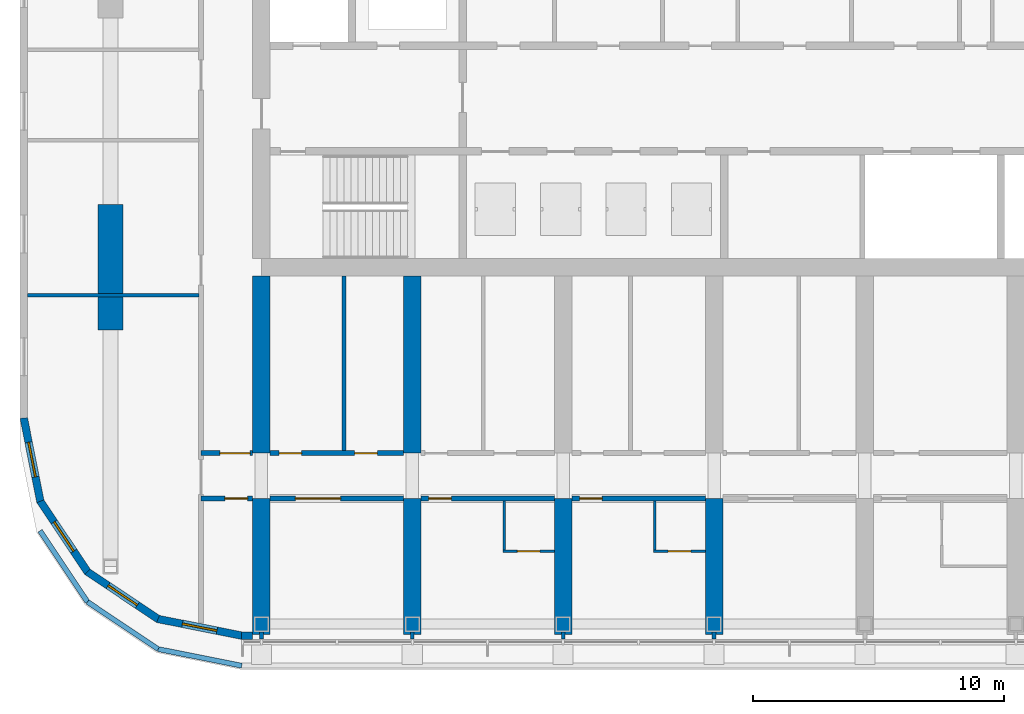
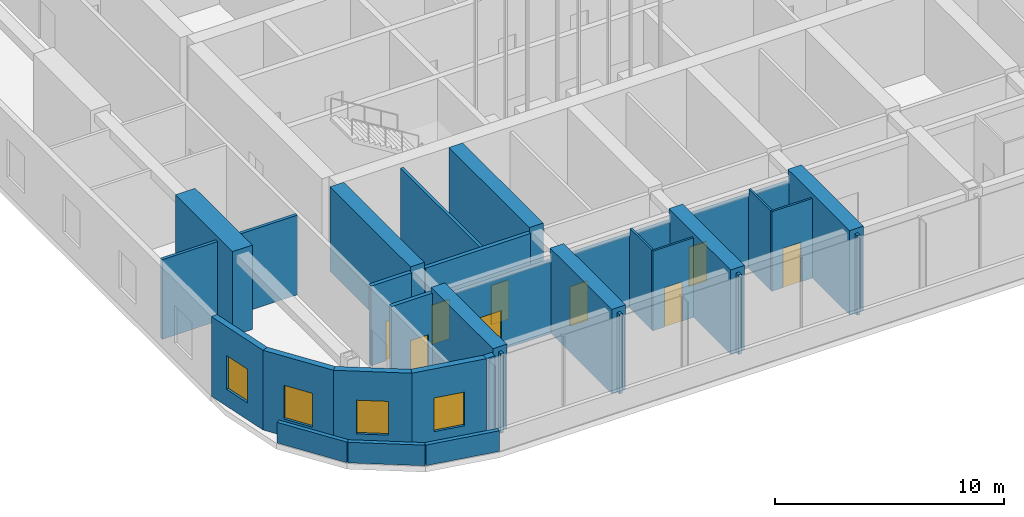
# One storey, part 14 of 35: 31 walls, 9 doors, 4 windows, 13 openings.
"""IFC4 building model written with IfcOpenShell, lengths in metres."""

from ifc_helpers import new_model, si_unit, direction, frame, frame_2d, origin, place, context, subcontext, project, spatial, polyline, rectangle, outline, extrude, material, layer, layer_set, type_object, element, fill, save


model = new_model("IFC4")

# Units and contexts
model_context = context("Model", 3, precision=1e-05, world=origin(), true_north=direction((0.0, 1.0)))
body_context = subcontext(model_context, "Body", "Model", "MODEL_VIEW")
ifc_project = project(units=[si_unit("LENGTHUNIT", "METRE"), si_unit("AREAUNIT", "SQUARE_METRE"), si_unit("VOLUMEUNIT", "CUBIC_METRE"), si_unit("PLANEANGLEUNIT", "RADIAN"), si_unit("MASSUNIT", "GRAM", prefix="KILO")], contexts=[model_context])

# Site, building, storey
site_placement = place(None, origin())
site = spatial("IfcSite", under=ifc_project, at=site_placement, CompositionType="ELEMENT")
building_placement = place(site_placement, origin())
building = spatial("IfcBuilding", under=site, at=building_placement, Name="Orbita Commons", CompositionType="ELEMENT")
storey_placement = place(building_placement, frame((0.0, 0.0, 208.300048828125)))
storey = spatial("IfcBuildingStorey", under=building, at=storey_placement, Name="L51", CompositionType="ELEMENT", Elevation=208.300048828125)

# Wall, opening, door
ifc_material_1 = material(Name="Concrete blockwork", Category="masonry")
ifc_layer_1 = layer(ifc_material_1, 0.199951171875)
ifc_layer_set_1 = layer_set([ifc_layer_1], Name="Concrete blockwork")
wall_type_1 = type_object("IfcWallType", Name="Corridor wall 200 blockwork", PredefinedType="SOLIDWALL", material=ifc_layer_set_1)
wall_1_placement = place(storey_placement, frame((15.60009765625, 16.60009765625, 0.0), z_axis=(0.0, 0.0, 1.0), x_axis=(1.0, 0.0, 0.0)))
wall_1 = element("IfcWall", 1, at=wall_1_placement, inside=storey, type_object=wall_type_1, Name="Corridor wall 200 blockwork L51", PredefinedType="SOLIDWALL", context=body_context, shape_type="SweptSolid", body=[
    extrude(rectangle(XDim=2.0498046875, YDim=0.199951171875, at=frame_2d((1.02490234375, 0.0))), origin(), (0.0, 0.0, 1.0), 4.25),
])
opening_1_placement = place(wall_1_placement, frame((0.949951171875, 0.0, 0.0)))
opening_1 = element("IfcOpeningElement", 2, at=opening_1_placement, cuts=wall_1, Name="Opening D05", PredefinedType="OPENING", context=body_context, shape_type="SweptSolid", body=[
    extrude(rectangle(XDim=0.89990234375, YDim=2.10009765625, at=frame_2d((0.449951171875, 1.050048828125))), frame((0.0, 0.10986328125, 0.0), z_axis=(0.0, -1.0, 0.0), x_axis=(1.0, 0.0, 0.0)), (0.0, 0.0, 1.0), 0.219970703125),
])
ifc_material_2 = material(Name="Steel-faced fire door leaf", Category="steel")
door_type_1 = type_object("IfcDoorType", Name="Service door 20 min 900x2100", OperationType="SINGLE_SWING_LEFT", PredefinedType="DOOR", material=ifc_material_2)
door_1_placement = place(opening_1_placement, origin())
door_1 = element("IfcDoor", 3, at=door_1_placement, inside=storey, type_object=door_type_1, Name="Linen store L51-KWS door", OperationType="SINGLE_SWING_LEFT", OverallHeight=2.10009765625, OverallWidth=0.89990234375, PredefinedType="DOOR", context=body_context, shape_type="SweptSolid", body=[
    extrude(rectangle(XDim=0.89990234375, YDim=2.10009765625, at=frame_2d((0.449951171875, 1.050048828125))), frame((0.0, 0.02490234375, 0.0), z_axis=(0.0, -1.0, 0.0), x_axis=(1.0, 0.0, 0.0)), (0.0, 0.0, 1.0), 0.050048828125),
])
fill(opening_1, door_1)

wall_2_placement = place(storey_placement, frame((18.35009765625, 16.60009765625, 0.0), z_axis=(0.0, 0.0, 1.0), x_axis=(1.0, 0.0, 0.0)))
wall_2 = element("IfcWall", 4, at=wall_2_placement, inside=storey, type_object=wall_type_1, Name="Corridor wall 200 blockwork L51", PredefinedType="SOLIDWALL", context=body_context, shape_type="SweptSolid", body=[
    extrude(outline(polyline([(0.0, 0.0), (5.2998046875, 0.0), (5.300048828125, 3.849853515625), (0.0, 3.849853515625), (0.0, 0.0)])), frame((0.0, 0.10009765625, 0.0), z_axis=(0.0, -1.0, 0.0), x_axis=(1.0, 0.0, 0.0)), (0.0, 0.0, 1.0), 0.199951171875),
])
opening_2_placement = place(wall_2_placement, frame((1.0, 0.0, 0.0)))
opening_2 = element("IfcOpeningElement", 5, at=opening_2_placement, cuts=wall_2, Name="Opening D07", PredefinedType="OPENING", context=body_context, shape_type="SweptSolid", body=[
    extrude(rectangle(XDim=1.800048828125, YDim=2.10009765625, at=frame_2d((0.89990234375, 1.050048828125))), frame((0.0, 0.10986328125, 0.0), z_axis=(0.0, -1.0, 0.0), x_axis=(1.0, 0.0, 0.0)), (0.0, 0.0, 1.0), 0.219970703125),
])
ifc_material_3 = material(Name="Steel-faced fire door leaf", Category="steel")
door_type_2 = type_object("IfcDoorType", Name="Double corridor door 20 min 1800x2100", OperationType="DOUBLE_DOOR_SINGLE_SWING", PredefinedType="DOOR", material=ifc_material_3)
door_2_placement = place(opening_2_placement, origin())
door_2 = element("IfcDoor", 6, at=door_2_placement, inside=storey, type_object=door_type_2, Name="Faculty dining room L51-SF1 doors", OperationType="DOUBLE_DOOR_SINGLE_SWING", OverallHeight=2.10009765625, OverallWidth=1.800048828125, PredefinedType="DOOR", context=body_context, shape_type="SweptSolid", body=[
    extrude(rectangle(XDim=1.800048828125, YDim=2.10009765625, at=frame_2d((0.89990234375, 1.050048828125))), frame((0.0, 0.02490234375, 0.0), z_axis=(0.0, -1.0, 0.0), x_axis=(1.0, 0.0, 0.0)), (0.0, 0.0, 1.0), 0.050048828125),
])
fill(opening_2, door_2)

wall_3_placement = place(storey_placement, frame((24.35009765625, 16.60009765625, 0.0), z_axis=(0.0, 0.0, 1.0), x_axis=(1.0, 0.0, 0.0)))
wall_3 = element("IfcWall", 7, at=wall_3_placement, inside=storey, type_object=wall_type_1, Name="Corridor wall 200 blockwork L51", PredefinedType="SOLIDWALL", context=body_context, shape_type="SweptSolid", body=[
    extrude(outline(polyline([(0.0, 0.0), (5.2998046875, 0.0), (5.300048828125, 3.849853515625), (0.0, 3.849853515625), (0.0, 0.0)])), frame((0.0, 0.10009765625, 0.0), z_axis=(0.0, -1.0, 0.0), x_axis=(1.0, 0.0, 0.0)), (0.0, 0.0, 1.0), 0.199951171875),
])
opening_3_placement = place(wall_3_placement, frame((0.300048828125, 0.0, 0.0)))
opening_3 = element("IfcOpeningElement", 8, at=opening_3_placement, cuts=wall_3, Name="Opening D11", PredefinedType="OPENING", context=body_context, shape_type="SweptSolid", body=[
    extrude(rectangle(XDim=0.89990234375, YDim=2.10009765625, at=frame_2d((0.449951171875, 1.050048828125))), frame((0.0, 0.10986328125, 0.0), z_axis=(0.0, -1.0, 0.0), x_axis=(1.0, 0.0, 0.0)), (0.0, 0.0, 1.0), 0.219970703125),
])
ifc_material_4 = material(Name="Steel-faced fire door leaf", Category="steel")
door_type_3 = type_object("IfcDoorType", Name="Corridor door 20 min 900x2100", OperationType="SINGLE_SWING_LEFT", PredefinedType="DOOR", material=ifc_material_4)
door_3_placement = place(opening_3_placement, origin())
door_3 = element("IfcDoor", 9, at=door_3_placement, inside=storey, type_object=door_type_3, Name="Guest studio with kitchenette L51-SF2 door", OperationType="SINGLE_SWING_LEFT", OverallHeight=2.10009765625, OverallWidth=0.89990234375, PredefinedType="DOOR", context=body_context, shape_type="SweptSolid", body=[
    extrude(rectangle(XDim=0.89990234375, YDim=2.10009765625, at=frame_2d((0.449951171875, 1.050048828125))), frame((0.0, 0.02490234375, 0.0), z_axis=(0.0, -1.0, 0.0), x_axis=(1.0, 0.0, 0.0)), (0.0, 0.0, 1.0), 0.050048828125),
])
fill(opening_3, door_3)

wall_4_placement = place(storey_placement, frame((30.35009765625, 16.60009765625, 0.0), z_axis=(0.0, 0.0, 1.0), x_axis=(1.0, 0.0, 0.0)))
wall_4 = element("IfcWall", 10, at=wall_4_placement, inside=storey, type_object=wall_type_1, Name="Corridor wall 200 blockwork L51", PredefinedType="SOLIDWALL", context=body_context, shape_type="SweptSolid", body=[
    extrude(outline(polyline([(0.0, 0.0), (5.2998046875, 0.0), (5.300048828125, 3.849853515625), (0.0, 3.849853515625), (0.0, 0.0)])), frame((0.0, 0.10009765625, 0.0), z_axis=(0.0, -1.0, 0.0), x_axis=(1.0, 0.0, 0.0)), (0.0, 0.0, 1.0), 0.199951171875),
])
opening_4_placement = place(wall_4_placement, frame((0.300048828125, 0.0, 0.0)))
opening_4 = element("IfcOpeningElement", 11, at=opening_4_placement, cuts=wall_4, Name="Opening D11", PredefinedType="OPENING", context=body_context, shape_type="SweptSolid", body=[
    extrude(rectangle(XDim=0.89990234375, YDim=2.10009765625, at=frame_2d((0.449951171875, 1.050048828125))), frame((0.0, 0.10986328125, 0.0), z_axis=(0.0, -1.0, 0.0), x_axis=(1.0, 0.0, 0.0)), (0.0, 0.0, 1.0), 0.219970703125),
])
door_4_placement = place(opening_4_placement, origin())
door_4 = element("IfcDoor", 12, at=door_4_placement, inside=storey, type_object=door_type_3, Name="Guest studio with kitchenette L51-SF3 door", OperationType="SINGLE_SWING_LEFT", OverallHeight=2.10009765625, OverallWidth=0.89990234375, PredefinedType="DOOR", context=body_context, shape_type="SweptSolid", body=[
    extrude(rectangle(XDim=0.89990234375, YDim=2.10009765625, at=frame_2d((0.449951171875, 1.050048828125))), frame((0.0, 0.02490234375, 0.0), z_axis=(0.0, -1.0, 0.0), x_axis=(1.0, 0.0, 0.0)), (0.0, 0.0, 1.0), 0.050048828125),
])
fill(opening_4, door_4)

ifc_material_5 = material(Name="Hollow concrete block 200", Category="concrete")
ifc_layer_2 = layer(ifc_material_5, 0.199951171875)
ifc_layer_set_2 = layer_set([ifc_layer_2], Name="Hollow concrete block 200")
wall_type_2 = type_object("IfcWallType", Name="Corridor wall 200 hollow concrete block", PredefinedType="SOLIDWALL", material=ifc_layer_set_2)
wall_5_placement = place(storey_placement, frame((15.60009765625, 18.39990234375, 0.0), z_axis=(0.0, 0.0, 1.0), x_axis=(1.0, 0.0, 0.0)))
wall_5 = element("IfcWall", 13, at=wall_5_placement, inside=storey, type_object=wall_type_2, Name="Corridor wall 200 hollow concrete block L51", PredefinedType="SOLIDWALL", context=body_context, shape_type="SweptSolid", body=[
    extrude(rectangle(XDim=2.0498046875, YDim=0.199951171875, at=frame_2d((1.02490234375, 0.0))), origin(), (0.0, 0.0, 1.0), 4.25),
])
opening_5_placement = place(wall_5_placement, frame((0.75, 0.0, 0.0)))
opening_5 = element("IfcOpeningElement", 14, at=opening_5_placement, cuts=wall_5, Name="Opening D12", PredefinedType="OPENING", context=body_context, shape_type="SweptSolid", body=[
    extrude(rectangle(XDim=1.199951171875, YDim=2.10009765625, at=frame_2d((0.60009765625, 1.050048828125))), frame((0.0, 0.10986328125, 0.0), z_axis=(0.0, -1.0, 0.0), x_axis=(1.0, 0.0, 0.0)), (0.0, 0.0, 1.0), 0.219970703125),
])
ifc_material_6 = material(Name="Steel-faced fire door leaf", Category="steel")
door_type_4 = type_object("IfcDoorType", Name="Double corridor door 20 min 1200x2100", OperationType="DOUBLE_DOOR_SINGLE_SWING", PredefinedType="DOOR", material=ifc_material_6)
door_5_placement = place(opening_5_placement, origin())
door_5 = element("IfcDoor", 15, at=door_5_placement, inside=storey, type_object=door_type_4, Name="Cross corridor doors", OperationType="DOUBLE_DOOR_SINGLE_SWING", OverallHeight=2.10009765625, OverallWidth=1.199951171875, PredefinedType="DOOR", context=body_context, shape_type="SweptSolid", body=[
    extrude(rectangle(XDim=1.199951171875, YDim=2.10009765625, at=frame_2d((0.60009765625, 1.050048828125))), frame((0.0, 0.02490234375, 0.0), z_axis=(0.0, -1.0, 0.0), x_axis=(1.0, 0.0, 0.0)), (0.0, 0.0, 1.0), 0.050048828125),
])
fill(opening_5, door_5)

# Wall, openings, doors
wall_6_placement = place(storey_placement, frame((18.35009765625, 18.39990234375, 0.0), z_axis=(0.0, 0.0, 1.0), x_axis=(1.0, 0.0, 0.0)))
wall_6 = element("IfcWall", 16, at=wall_6_placement, inside=storey, type_object=wall_type_2, Name="Corridor wall 200 hollow concrete block L51", PredefinedType="SOLIDWALL", context=body_context, shape_type="SweptSolid", body=[
    extrude(rectangle(XDim=5.2998046875, YDim=0.199951171875, at=frame_2d((2.64990234375, 0.0))), origin(), (0.0, 0.0, 1.0), 4.25),
])
opening_6_placement = place(wall_6_placement, frame((0.35009765625, 0.0, 0.0)))
opening_6 = element("IfcOpeningElement", 17, at=opening_6_placement, cuts=wall_6, Name="Opening D11", PredefinedType="OPENING", context=body_context, shape_type="SweptSolid", body=[
    extrude(rectangle(XDim=0.89990234375, YDim=2.10009765625, at=frame_2d((0.449951171875, 1.050048828125))), frame((0.0, 0.10986328125, 0.0), z_axis=(0.0, -1.0, 0.0), x_axis=(1.0, 0.0, 0.0)), (0.0, 0.0, 1.0), 0.219970703125),
])
opening_7_placement = place(wall_6_placement, frame((3.360107421875, 0.0, 0.0)))
opening_7 = element("IfcOpeningElement", 18, at=opening_7_placement, cuts=wall_6, Name="Opening D11", PredefinedType="OPENING", context=body_context, shape_type="SweptSolid", body=[
    extrude(rectangle(XDim=0.89990234375, YDim=2.10009765625, at=frame_2d((0.449951171875, 1.050048828125))), frame((0.0, 0.10986328125, 0.0), z_axis=(0.0, -1.0, 0.0), x_axis=(1.0, 0.0, 0.0)), (0.0, 0.0, 1.0), 0.219970703125),
])
door_6_placement = place(opening_6_placement, origin())
door_6 = element("IfcDoor", 19, at=door_6_placement, inside=storey, type_object=door_type_3, Name="Yoga room L51-BDS18 door", OperationType="SINGLE_SWING_LEFT", OverallHeight=2.10009765625, OverallWidth=0.89990234375, PredefinedType="DOOR", context=body_context, shape_type="SweptSolid", body=[
    extrude(rectangle(XDim=0.89990234375, YDim=2.10009765625, at=frame_2d((0.449951171875, 1.050048828125))), frame((0.0, 0.02490234375, 0.0), z_axis=(0.0, -1.0, 0.0), x_axis=(1.0, 0.0, 0.0)), (0.0, 0.0, 1.0), 0.050048828125),
])
fill(opening_6, door_6)
door_7_placement = place(opening_7_placement, origin())
door_7 = element("IfcDoor", 20, at=door_7_placement, inside=storey, type_object=door_type_3, Name="Accessible WC and shower room L51-BDS18n door", OperationType="SINGLE_SWING_LEFT", OverallHeight=2.10009765625, OverallWidth=0.89990234375, PredefinedType="DOOR", context=body_context, shape_type="SweptSolid", body=[
    extrude(rectangle(XDim=0.89990234375, YDim=2.10009765625, at=frame_2d((0.449951171875, 1.050048828125))), frame((0.0, 0.02490234375, 0.0), z_axis=(0.0, -1.0, 0.0), x_axis=(1.0, 0.0, 0.0)), (0.0, 0.0, 1.0), 0.050048828125),
])
fill(opening_7, door_7)

# Walls
ifc_material_7 = material(Name="Concrete C50/60", Category="concrete")
ifc_layer_3 = layer(ifc_material_7, 0.699951171875)
ifc_layer_set_3 = layer_set([ifc_layer_3], Name="Concrete C50/60")
wall_type_3 = type_object("IfcWallType", Name="Cross wall 700 C50/60", PredefinedType="SHEAR", material=ifc_layer_set_3)
wall_7_placement = place(storey_placement, frame((18.0, 11.199951171875, 0.0), z_axis=(0.0, 0.0, 1.0), x_axis=(0.0, 1.0, 0.0)))
element("IfcWall", 21, at=wall_7_placement, inside=storey, type_object=wall_type_3, Name="Cross wall 4 south outer L51", PredefinedType="SHEAR", context=body_context, shape_type="SweptSolid", body=[
    extrude(rectangle(XDim=5.400146484375, YDim=0.699951171875, at=frame_2d((2.7001953125, 0.0))), origin(), (0.0, 0.0, 1.0), 4.5),
])
wall_8_placement = place(storey_placement, frame((18.0, 18.39990234375, 0.0), z_axis=(0.0, 0.0, 1.0), x_axis=(0.0, 1.0, 0.0)))
element("IfcWall", 22, at=wall_8_placement, inside=storey, type_object=wall_type_3, Name="Cross wall 4 south inner L51", PredefinedType="SHEAR", context=body_context, shape_type="SweptSolid", body=[
    extrude(rectangle(XDim=7.050048828125, YDim=0.699951171875, at=frame_2d((3.52490234375, 0.0))), origin(), (0.0, 0.0, 1.0), 4.5),
])
wall_9_placement = place(storey_placement, frame((24.0, 11.199951171875, 0.0), z_axis=(0.0, 0.0, 1.0), x_axis=(0.0, 1.0, 0.0)))
element("IfcWall", 23, at=wall_9_placement, inside=storey, type_object=wall_type_3, Name="Cross wall 5 south outer L51", PredefinedType="SHEAR", context=body_context, shape_type="SweptSolid", body=[
    extrude(rectangle(XDim=5.400146484375, YDim=0.699951171875, at=frame_2d((2.7001953125, 0.0))), origin(), (0.0, 0.0, 1.0), 4.5),
])
wall_10_placement = place(storey_placement, frame((24.0, 18.39990234375, 0.0), z_axis=(0.0, 0.0, 1.0), x_axis=(0.0, 1.0, 0.0)))
element("IfcWall", 24, at=wall_10_placement, inside=storey, type_object=wall_type_3, Name="Cross wall 5 south inner L51", PredefinedType="SHEAR", context=body_context, shape_type="SweptSolid", body=[
    extrude(rectangle(XDim=7.050048828125, YDim=0.699951171875, at=frame_2d((3.52490234375, 0.0))), origin(), (0.0, 0.0, 1.0), 4.5),
])
for number, where, z_axis, x_axis, name in (
    (25, (30.0, 11.199951171875, 0.0), (0.0, 0.0, 1.0), (0.0, 1.0, 0.0), "Cross wall 6 south outer L51"),
    (26, (36.0, 11.199951171875, 0.0), (0.0, 0.0, 1.0), (0.0, 1.0, 0.0), "Cross wall 7 south outer L51"),
):
    element("IfcWall", number, at=place(storey_placement, frame(where, z_axis=z_axis, x_axis=x_axis)), inside=storey, type_object=wall_type_3, Name=name, PredefinedType="SHEAR", context=body_context, shape_type="SweptSolid", body=[
        extrude(rectangle(XDim=5.400146484375, YDim=0.699951171875, at=frame_2d((2.7001953125, 0.0))), origin(), (0.0, 0.0, 1.0), 4.5),
    ])

# Wall, opening, door
ifc_material_8 = material(Name="Moisture-resistant plasterboard on steel studs", Category="steel")
ifc_layer_4 = layer(ifc_material_8, 0.10009765625)
ifc_layer_set_4 = layer_set([ifc_layer_4], Name="Moisture-resistant plasterboard on steel studs")
wall_type_4 = type_object("IfcWallType", Name="En-suite partition 100", PredefinedType="PARTITIONING", material=ifc_layer_set_4)
wall_11_placement = place(storey_placement, frame((29.64990234375, 14.5, 0.0), z_axis=(0.0, 0.0, 1.0), x_axis=(-1.0, 0.0, 0.0)))
wall_11 = element("IfcWall", 27, at=wall_11_placement, inside=storey, type_object=wall_type_4, Name="En-suite partition 100 L51", PredefinedType="PARTITIONING", context=body_context, shape_type="SweptSolid", body=[
    extrude(rectangle(XDim=2.0498046875, YDim=0.10009765625, at=frame_2d((1.02490234375, 0.0))), origin(), (0.0, 0.0, 1.0), 4.25),
])
opening_8_placement = place(wall_11_placement, frame((0.574951171875, 0.0, 0.0)))
opening_8 = element("IfcOpeningElement", 28, at=opening_8_placement, cuts=wall_11, Name="Opening D09", PredefinedType="OPENING", context=body_context, shape_type="SweptSolid", body=[
    extrude(rectangle(XDim=0.89990234375, YDim=2.10009765625, at=frame_2d((0.449951171875, 1.050048828125))), frame((0.0, 0.06005859375, 0.0), z_axis=(0.0, -1.0, 0.0), x_axis=(1.0, 0.0, 0.0)), (0.0, 0.0, 1.0), 0.1201171875),
])
ifc_material_9 = material(Name="Laminated timber door leaf", Category="wood")
door_type_5 = type_object("IfcDoorType", Name="En-suite door 900x2100", OperationType="SINGLE_SWING_RIGHT", PredefinedType="DOOR", material=ifc_material_9)
door_8_placement = place(opening_8_placement, origin())
door_8 = element("IfcDoor", 29, at=door_8_placement, inside=storey, type_object=door_type_5, Name="En-suite L51-SF2 door", OperationType="SINGLE_SWING_RIGHT", OverallHeight=2.10009765625, OverallWidth=0.89990234375, PredefinedType="DOOR", context=body_context, shape_type="SweptSolid", body=[
    extrude(rectangle(XDim=0.89990234375, YDim=2.10009765625, at=frame_2d((0.449951171875, 1.050048828125))), frame((0.0, 0.02490234375, 0.0), z_axis=(0.0, -1.0, 0.0), x_axis=(1.0, 0.0, 0.0)), (0.0, 0.0, 1.0), 0.050048828125),
])
fill(opening_8, door_8)

# Wall
wall_12_placement = place(storey_placement, frame((27.64990234375, 14.550048828125, 0.0), z_axis=(0.0, 0.0, 1.0), x_axis=(0.0, 1.0, 0.0)))
element("IfcWall", 30, at=wall_12_placement, inside=storey, type_object=wall_type_4, Name="En-suite partition 100 L51", PredefinedType="PARTITIONING", context=body_context, shape_type="SweptSolid", body=[
    extrude(outline(polyline([(0.0, 0.0), (1.949951171875, 0.0), (1.949951171875, 3.849853515625), (1.902099609375, 3.849853515625), (1.89990234375, 4.25), (0.0, 4.25), (0.0, 0.0)])), frame((0.0, 0.050048828125, 0.0), z_axis=(0.0, -1.0, 0.0), x_axis=(1.0, 0.0, 0.0)), (0.0, 0.0, 1.0), 0.10009765625),
])

# Wall, opening, door
wall_13_placement = place(storey_placement, frame((35.64990234375, 14.5, 0.0), z_axis=(0.0, 0.0, 1.0), x_axis=(-1.0, 0.0, 0.0)))
wall_13 = element("IfcWall", 31, at=wall_13_placement, inside=storey, type_object=wall_type_4, Name="En-suite partition 100 L51", PredefinedType="PARTITIONING", context=body_context, shape_type="SweptSolid", body=[
    extrude(rectangle(XDim=2.0498046875, YDim=0.10009765625, at=frame_2d((1.02490234375, 0.0))), origin(), (0.0, 0.0, 1.0), 4.25),
])
opening_9_placement = place(wall_13_placement, frame((0.574951171875, 0.0, 0.0)))
opening_9 = element("IfcOpeningElement", 32, at=opening_9_placement, cuts=wall_13, Name="Opening D09", PredefinedType="OPENING", context=body_context, shape_type="SweptSolid", body=[
    extrude(rectangle(XDim=0.89990234375, YDim=2.10009765625, at=frame_2d((0.449951171875, 1.050048828125))), frame((0.0, 0.06005859375, 0.0), z_axis=(0.0, -1.0, 0.0), x_axis=(1.0, 0.0, 0.0)), (0.0, 0.0, 1.0), 0.1201171875),
])
door_9_placement = place(opening_9_placement, origin())
door_9 = element("IfcDoor", 33, at=door_9_placement, inside=storey, type_object=door_type_5, Name="En-suite L51-SF3 door", OperationType="SINGLE_SWING_RIGHT", OverallHeight=2.10009765625, OverallWidth=0.89990234375, PredefinedType="DOOR", context=body_context, shape_type="SweptSolid", body=[
    extrude(rectangle(XDim=0.89990234375, YDim=2.10009765625, at=frame_2d((0.449951171875, 1.050048828125))), frame((0.0, 0.02490234375, 0.0), z_axis=(0.0, -1.0, 0.0), x_axis=(1.0, 0.0, 0.0)), (0.0, 0.0, 1.0), 0.050048828125),
])
fill(opening_9, door_9)

# Walls
wall_14_placement = place(storey_placement, frame((33.64990234375, 14.550048828125, 0.0), z_axis=(0.0, 0.0, 1.0), x_axis=(0.0, 1.0, 0.0)))
element("IfcWall", 34, at=wall_14_placement, inside=storey, type_object=wall_type_4, Name="En-suite partition 100 L51", PredefinedType="PARTITIONING", context=body_context, shape_type="SweptSolid", body=[
    extrude(outline(polyline([(0.0, 0.0), (1.949951171875, 0.0), (1.949951171875, 3.849853515625), (1.902099609375, 3.849853515625), (1.89990234375, 4.25), (0.0, 4.25), (0.0, 0.0)])), frame((0.0, 0.050048828125, 0.0), z_axis=(0.0, -1.0, 0.0), x_axis=(1.0, 0.0, 0.0)), (0.0, 0.0, 1.0), 0.10009765625),
])
ifc_material_10 = material(Name="Concrete C50/60", Category="concrete")
ifc_layer_5 = layer(ifc_material_10, 1.0)
ifc_layer_set_5 = layer_set([ifc_layer_5], Name="Concrete C50/60")
wall_type_5 = type_object("IfcWallType", Name="End pier 1000x5000 C50/60", PredefinedType="SHEAR", material=ifc_layer_set_5)
wall_15_placement = place(storey_placement, frame((12.0, 23.300048828125, 0.0), z_axis=(0.0, 0.0, 1.0), x_axis=(0.0, 1.0, 0.0)))
element("IfcWall", 35, at=wall_15_placement, inside=storey, type_object=wall_type_5, Name="End pier 3/C L51", PredefinedType="SHEAR", context=body_context, shape_type="SweptSolid", body=[
    extrude(rectangle(XDim=5.0, YDim=1.0, at=frame_2d((2.5, 0.0))), origin(), (0.0, 0.0, 1.0), 4.5),
])
ifc_material_11 = material(Name="Gypsum plasterboard on steel studs", Category="steel")
ifc_layer_6 = layer(ifc_material_11, 0.14990234375)
ifc_layer_set_6 = layer_set([ifc_layer_6], Name="Gypsum plasterboard on steel studs")
wall_type_6 = type_object("IfcWallType", Name="Partition 150 plasterboard", PredefinedType="PARTITIONING", material=ifc_layer_set_6)
wall_16_placement = place(storey_placement, frame((21.284912109375, 18.5, 0.0), z_axis=(0.0, 0.0, 1.0), x_axis=(0.0, 1.0, 0.0)))
element("IfcWall", 36, at=wall_16_placement, inside=storey, type_object=wall_type_6, Name="Partition 150 plasterboard L51", PredefinedType="PARTITIONING", context=body_context, shape_type="SweptSolid", body=[
    extrude(rectangle(XDim=6.949951171875, YDim=0.14990234375, at=frame_2d((3.47509765625, 0.0))), origin(), (0.0, 0.0, 1.0), 4.25),
])
wall_17_placement = place(storey_placement, frame((8.705078125, 24.679931640625, 0.0), z_axis=(0.0, 0.0, 1.0), x_axis=(1.0, 0.0, 0.0)))
element("IfcWall", 37, at=wall_17_placement, inside=storey, type_object=wall_type_6, Name="Partition 150 plasterboard L51", PredefinedType="PARTITIONING", context=body_context, shape_type="SweptSolid", body=[
    extrude(rectangle(XDim=6.81982421875, YDim=0.14990234375, at=frame_2d((3.409912109375, 0.0))), origin(), (0.0, 0.0, 1.0), 4.25),
])
for number, where, z_axis, x_axis, name in (
    (38, (18.0, 11.300048828125, 0.0), (0.0, 0.0, 1.0), (0.0, -1.0, 0.0), "Partition 150 plasterboard L51"),
    (39, (24.0, 11.300048828125, 0.0), (0.0, 0.0, 1.0), (0.0, -1.0, 0.0), "Partition 150 plasterboard L51"),
    (40, (30.0, 11.300048828125, 0.0), (0.0, 0.0, 1.0), (0.0, -1.0, 0.0), "Partition 150 plasterboard L51"),
    (41, (36.0, 11.300048828125, 0.0), (0.0, 0.0, 1.0), (0.0, -1.0, 0.0), "Partition 150 plasterboard L51"),
):
    element("IfcWall", number, at=place(storey_placement, frame(where, z_axis=z_axis, x_axis=x_axis)), inside=storey, type_object=wall_type_6, Name=name, PredefinedType="PARTITIONING", context=body_context, shape_type="SweptSolid", body=[
        extrude(rectangle(XDim=0.2900390625, YDim=0.14990234375, at=frame_2d((0.14501953125, 0.0))), origin(), (0.0, 0.0, 1.0), 4.25),
    ])

# Wall, opening, window
ifc_material_12 = material(Name="Precast concrete C40/50, white board-marked finish", Category="concrete")
ifc_layer_7 = layer(ifc_material_12, 0.300048828125)
ifc_layer_set_7 = layer_set([ifc_layer_7], Name="Precast concrete C40/50, white board-marked finish")
wall_type_7 = type_object("IfcWallType", Name="Precast concrete end shield 300", PredefinedType="SOLIDWALL", material=ifc_layer_set_7)
wall_18_placement = place(storey_placement, frame((8.550048828125, 19.800048828125, 0.0), z_axis=(0.0, 0.0, 1.0), x_axis=(0.19508664885, -0.980786011034, 0.0)))
wall_18 = element("IfcWall", 42, at=wall_18_placement, inside=storey, type_object=wall_type_7, Name="End shield SW chord 1 L51", PredefinedType="SOLIDWALL", context=body_context, shape_type="SweptSolid", body=[
    extrude(outline(polyline([(-0.014892578125, -0.14990234375), (3.405029296875, -0.14990234375), (3.345458984375, 0.14990234375), (0.014892578125, 0.14990234375), (-0.014892578125, -0.14990234375)])), origin(), (0.0, 0.0, 1.0), 4.25),
])
opening_10_placement = place(wall_18_placement, frame((0.987548828125, 0.0, 0.89990234375)))
opening_10 = element("IfcOpeningElement", 43, at=opening_10_placement, cuts=wall_18, Name="Opening W02", PredefinedType="OPENING", context=body_context, shape_type="SweptSolid", body=[
    extrude(rectangle(XDim=1.39990234375, YDim=1.800048828125, at=frame_2d((0.699951171875, 0.89990234375))), frame((0.0, 0.159912109375, 0.0), z_axis=(0.0, -1.0, 0.0), x_axis=(1.0, 0.0, 0.0)), (0.0, 0.0, 1.0), 0.320068359375),
])
ifc_material_13 = material(Name="Aluminium frame, clear double glazing", Category="aluminium")
window_type = type_object("IfcWindowType", Name="Deep-set window 1400x1800", PartitioningType="SINGLE_PANEL", PredefinedType="WINDOW", material=ifc_material_13)
window_1_placement = place(opening_10_placement, origin())
window_1 = element("IfcWindow", 44, at=window_1_placement, inside=storey, type_object=window_type, Name="Window L51-SW0", OverallHeight=1.800048828125, OverallWidth=1.39990234375, PartitioningType="SINGLE_PANEL", PredefinedType="WINDOW", context=body_context, shape_type="SweptSolid", body=[
    extrude(rectangle(XDim=1.39990234375, YDim=1.800048828125, at=frame_2d((0.699951171875, 0.89990234375))), frame((0.0, 0.030029296875, 0.0), z_axis=(0.0, -1.0, 0.0), x_axis=(1.0, 0.0, 0.0)), (0.0, 0.0, 1.0), 0.06005859375),
])
fill(opening_10, window_1)

wall_19_placement = place(storey_placement, frame((9.20849609375, 16.48974609375, 0.0), z_axis=(0.0, 0.0, 1.0), x_axis=(0.555567969291, -0.831471124873, 0.0)))
wall_19 = element("IfcWall", 45, at=wall_19_placement, inside=storey, type_object=wall_type_7, Name="End shield SW chord 2 L51", PredefinedType="SOLIDWALL", context=body_context, shape_type="SweptSolid", body=[
    extrude(outline(polyline([(-0.02978515625, -0.14990234375), (3.40478515625, -0.14990234375), (3.34521484375, 0.14990234375), (0.02978515625, 0.14990234375), (-0.02978515625, -0.14990234375)])), origin(), (0.0, 0.0, 1.0), 4.25),
])
opening_11_placement = place(wall_19_placement, frame((0.987548828125, 0.0, 0.89990234375)))
opening_11 = element("IfcOpeningElement", 46, at=opening_11_placement, cuts=wall_19, Name="Opening W02", PredefinedType="OPENING", context=body_context, shape_type="SweptSolid", body=[
    extrude(rectangle(XDim=1.39990234375, YDim=1.800048828125, at=frame_2d((0.699951171875, 0.89990234375))), frame((0.0, 0.159912109375, 0.0), z_axis=(0.0, -1.0, 0.0), x_axis=(1.0, 0.0, 0.0)), (0.0, 0.0, 1.0), 0.320068359375),
])
window_2_placement = place(opening_11_placement, origin())
window_2 = element("IfcWindow", 47, at=window_2_placement, inside=storey, type_object=window_type, Name="Window L51-SW1", OverallHeight=1.800048828125, OverallWidth=1.39990234375, PartitioningType="SINGLE_PANEL", PredefinedType="WINDOW", context=body_context, shape_type="SweptSolid", body=[
    extrude(rectangle(XDim=1.39990234375, YDim=1.800048828125, at=frame_2d((0.699951171875, 0.89990234375))), frame((0.0, 0.030029296875, 0.0), z_axis=(0.0, -1.0, 0.0), x_axis=(1.0, 0.0, 0.0)), (0.0, 0.0, 1.0), 0.06005859375),
])
fill(opening_11, window_2)

wall_20_placement = place(storey_placement, frame((11.08349609375, 13.68359375, 0.0), z_axis=(0.0, 0.0, 1.0), x_axis=(0.831460037396, -0.555584562613, 0.0)))
wall_20 = element("IfcWall", 48, at=wall_20_placement, inside=storey, type_object=wall_type_7, Name="End shield SW chord 3 L51", PredefinedType="SOLIDWALL", context=body_context, shape_type="SweptSolid", body=[
    extrude(outline(polyline([(-0.02978515625, -0.14990234375), (3.405029296875, -0.14990234375), (3.345458984375, 0.14990234375), (0.02978515625, 0.14990234375), (-0.02978515625, -0.14990234375)])), origin(), (0.0, 0.0, 1.0), 4.25),
])
opening_12_placement = place(wall_20_placement, frame((0.987548828125, 0.0, 0.89990234375)))
opening_12 = element("IfcOpeningElement", 49, at=opening_12_placement, cuts=wall_20, Name="Opening W02", PredefinedType="OPENING", context=body_context, shape_type="SweptSolid", body=[
    extrude(rectangle(XDim=1.39990234375, YDim=1.800048828125, at=frame_2d((0.699951171875, 0.89990234375))), frame((0.0, 0.159912109375, 0.0), z_axis=(0.0, -1.0, 0.0), x_axis=(1.0, 0.0, 0.0)), (0.0, 0.0, 1.0), 0.320068359375),
])
window_3_placement = place(opening_12_placement, origin())
window_3 = element("IfcWindow", 50, at=window_3_placement, inside=storey, type_object=window_type, Name="Window L51-SW2", OverallHeight=1.800048828125, OverallWidth=1.39990234375, PartitioningType="SINGLE_PANEL", PredefinedType="WINDOW", context=body_context, shape_type="SweptSolid", body=[
    extrude(rectangle(XDim=1.39990234375, YDim=1.800048828125, at=frame_2d((0.699951171875, 0.89990234375))), frame((0.0, 0.030029296875, 0.0), z_axis=(0.0, -1.0, 0.0), x_axis=(1.0, 0.0, 0.0)), (0.0, 0.0, 1.0), 0.06005859375),
])
fill(opening_12, window_3)

wall_21_placement = place(storey_placement, frame((13.889892578125, 11.808349609375, 0.0), z_axis=(0.0, 0.0, 1.0), x_axis=(0.98078325777, -0.195100490205, 0.0)))
wall_21 = element("IfcWall", 51, at=wall_21_placement, inside=storey, type_object=wall_type_7, Name="End shield SW chord 4 L51", PredefinedType="SOLIDWALL", context=body_context, shape_type="SweptSolid", body=[
    extrude(outline(polyline([(-0.02978515625, -0.14990234375), (3.40478515625, -0.14990234375), (3.34521484375, 0.14990234375), (0.02978515625, 0.14990234375), (-0.02978515625, -0.14990234375)])), origin(), (0.0, 0.0, 1.0), 4.25),
])
opening_13_placement = place(wall_21_placement, frame((0.987548828125, 0.0, 0.89990234375)))
opening_13 = element("IfcOpeningElement", 52, at=opening_13_placement, cuts=wall_21, Name="Opening W02", PredefinedType="OPENING", context=body_context, shape_type="SweptSolid", body=[
    extrude(rectangle(XDim=1.39990234375, YDim=1.800048828125, at=frame_2d((0.699951171875, 0.89990234375))), frame((0.0, 0.159912109375, 0.0), z_axis=(0.0, -1.0, 0.0), x_axis=(1.0, 0.0, 0.0)), (0.0, 0.0, 1.0), 0.320068359375),
])
window_4_placement = place(opening_13_placement, origin())
window_4 = element("IfcWindow", 53, at=window_4_placement, inside=storey, type_object=window_type, Name="Window L51-SW3", OverallHeight=1.800048828125, OverallWidth=1.39990234375, PartitioningType="SINGLE_PANEL", PredefinedType="WINDOW", context=body_context, shape_type="SweptSolid", body=[
    extrude(rectangle(XDim=1.39990234375, YDim=1.800048828125, at=frame_2d((0.699951171875, 0.89990234375))), frame((0.0, 0.030029296875, 0.0), z_axis=(0.0, -1.0, 0.0), x_axis=(1.0, 0.0, 0.0)), (0.0, 0.0, 1.0), 0.06005859375),
])
fill(opening_13, window_4)

# Walls
wall_22_placement = place(storey_placement, frame((17.199951171875, 11.14990234375, 0.0), z_axis=(0.0, 0.0, 1.0), x_axis=(1.0, 0.0, 0.0)))
element("IfcWall", 54, at=wall_22_placement, inside=storey, type_object=wall_type_7, Name="End shield SW closer L51", PredefinedType="SOLIDWALL", context=body_context, shape_type="SweptSolid", body=[
    extrude(rectangle(XDim=0.449951171875, YDim=0.300048828125, at=frame_2d((0.22509765625, 0.0))), origin(), (0.0, 0.0, 1.0), 4.25),
])
ifc_material_14 = material(Name="Precast concrete C40/50, white board-marked finish", Category="concrete")
ifc_layer_8 = layer(ifc_material_14, 0.199951171875)
ifc_layer_set_8 = layer_set([ifc_layer_8], Name="Precast concrete C40/50, white board-marked finish")
wall_type_8 = type_object("IfcWallType", Name="Precast parapet 200", PredefinedType="PARAPET", material=ifc_layer_set_8)
wall_23_placement = place(storey_placement, frame((17.21484375, 9.949951171875, 0.0), z_axis=(0.0, 0.0, 1.0), x_axis=(-0.980787925163, 0.195077025438, 0.0)))
element("IfcWall", 55, at=wall_23_placement, inside=storey, type_object=wall_type_8, Name="Parapet L51 1.5", PredefinedType="PARAPET", context=body_context, shape_type="SweptSolid", body=[
    extrude(rectangle(XDim=3.38916015625, YDim=0.199951171875, at=frame_2d((1.694580078125, 0.0))), origin(), (0.0, 0.0, 1.0), 1.099853515625),
])
wall_24_placement = place(storey_placement, frame((13.890869140625, 10.611083984375, 0.0), z_axis=(0.0, 0.0, 1.0), x_axis=(-0.831448637767, 0.555601622348, 0.0)))
element("IfcWall", 56, at=wall_24_placement, inside=storey, type_object=wall_type_8, Name="Parapet L51 1.6", PredefinedType="PARAPET", context=body_context, shape_type="SweptSolid", body=[
    extrude(rectangle(XDim=3.373779296875, YDim=0.199951171875, at=frame_2d((1.68701171875, 0.0))), origin(), (0.0, 0.0, 1.0), 1.099853515625),
])
wall_25_placement = place(storey_placement, frame((11.085693359375, 12.485595703125, 0.0), z_axis=(0.0, 0.0, 1.0), x_axis=(-0.555593699073, 0.831453932308, 0.0)))
element("IfcWall", 57, at=wall_25_placement, inside=storey, type_object=wall_type_8, Name="Parapet L51 1.7", PredefinedType="PARAPET", context=body_context, shape_type="SweptSolid", body=[
    extrude(rectangle(XDim=3.40380859375, YDim=0.199951171875, at=frame_2d((1.701904296875, 0.0))), origin(), (0.0, 0.0, 1.0), 1.099853515625),
])

save(model, "model.ifc")
